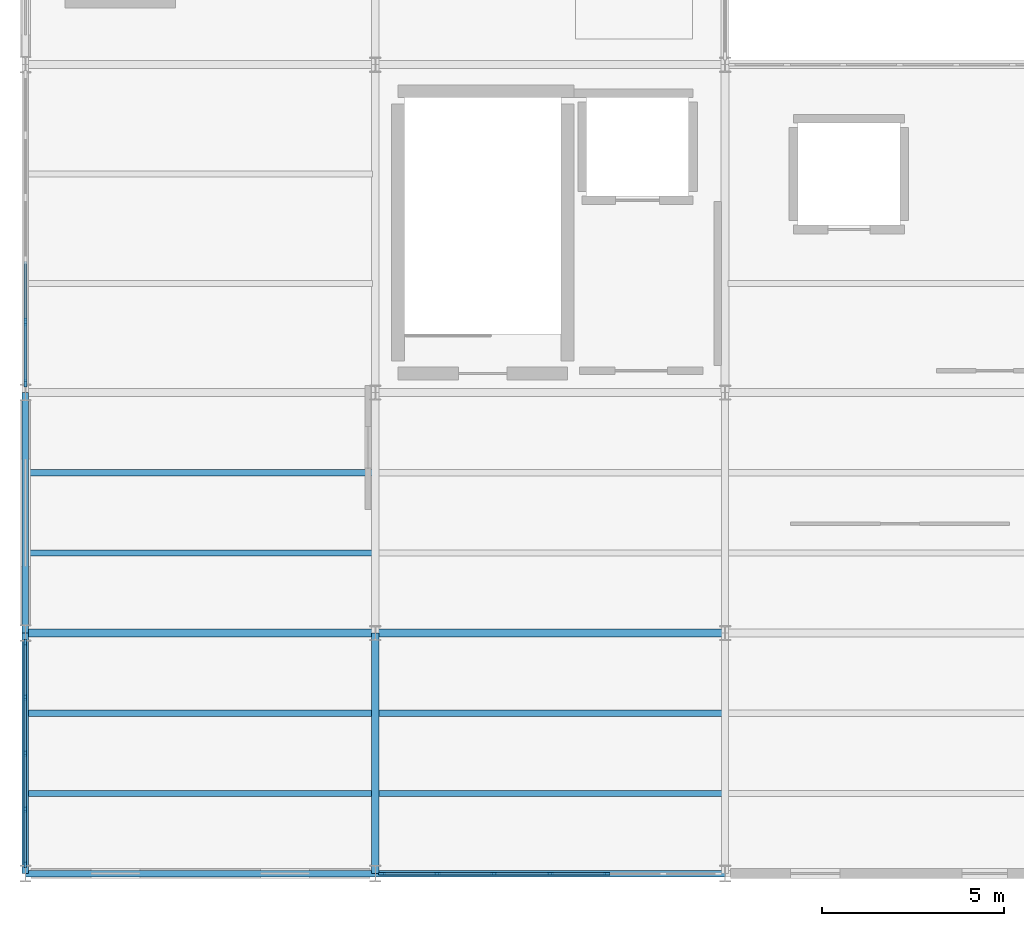
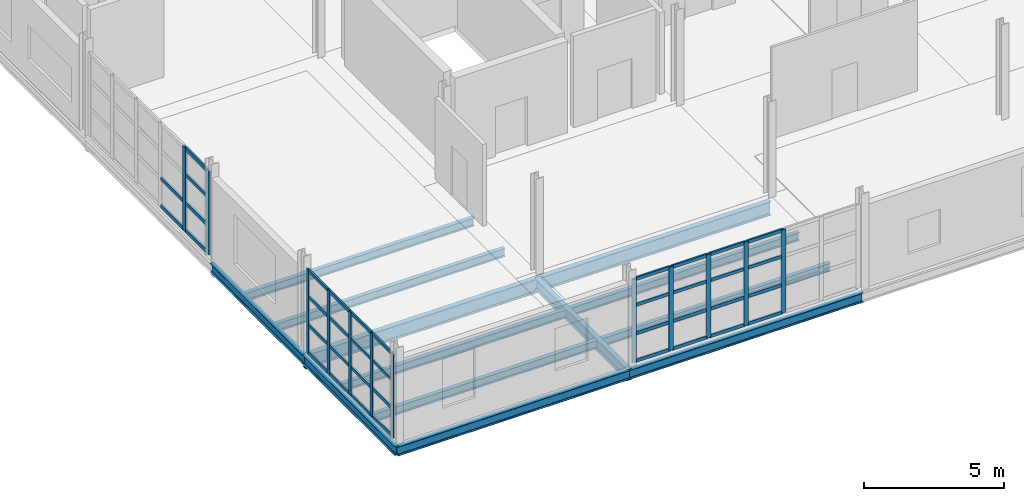
# One storey, part 3 of 15: 50 members, 13 beams, 3 elements without a shape of their own.
"""IFC4 building model written with IfcOpenShell, lengths in metres."""

from ifc_helpers import new_model, si_unit, direction, frame, origin, origin_2d, place, context, subcontext, project, spatial, rectangle, i_section, extrude, material, layer, layer_set, material_profile, profile_set, type_object, element, aggregate, save


model = new_model("IFC4")

# Units and contexts
model_context = context("Model", 3, precision=1e-05, world=origin(), true_north=direction((0.0, 1.0)))
body_context = subcontext(model_context, "Body", "Model", "MODEL_VIEW")
ifc_project = project(units=[si_unit("LENGTHUNIT", "METRE"), si_unit("AREAUNIT", "SQUARE_METRE"), si_unit("VOLUMEUNIT", "CUBIC_METRE"), si_unit("PLANEANGLEUNIT", "RADIAN"), si_unit("MASSUNIT", "GRAM", prefix="KILO")], contexts=[model_context])

# Site, building, storey
site_placement = place(None, origin())
site = spatial("IfcSite", under=ifc_project, at=site_placement, CompositionType="ELEMENT")
building_placement = place(site_placement, origin())
building = spatial("IfcBuilding", under=site, at=building_placement, Name="Zarnetskaya Central Station", CompositionType="ELEMENT")
storey_placement = place(building_placement, frame((0.0, 0.0, 22.800048828125)))
storey = spatial("IfcBuildingStorey", under=building, at=storey_placement, Name="L05", CompositionType="ELEMENT", Elevation=22.800048828125)

# Beams
ifc_material_1 = material(Name="Steel S355", Category="steel")
ifc_material_profile_1 = material_profile(ifc_material_1, i_section(OverallWidth=0.169921875, OverallDepth=0.360107421875, WebThickness=0.008056640625, FlangeThickness=0.0126953125, FilletRadius=0.01806640625, at=origin_2d()), Name="IPE 360")
ifc_profile_set_1 = profile_set([ifc_material_profile_1], Name="Steel S355")
beam_type_1 = type_object("IfcBeamType", Name="BM-SEC-360", PredefinedType="BEAM", material=ifc_profile_set_1)
for number, where, z_axis, x_axis, name in (
    (1, (0.080078125, 2.199951171875, -0.420166015625), (1.0, 0.0, 0.0), (0.0, 1.0, 0.0), "Secondary floor beam SEC-L05-Z2256-AB-12-1"),
    (2, (0.080078125, 4.39990234375, -0.420166015625), (1.0, 0.0, 0.0), (0.0, 1.0, 0.0), "Secondary floor beam SEC-L05-Z2256-AB-12-2"),
    (3, (0.080078125, 8.800048828125, -0.420166015625), (1.0, 0.0, 0.0), (0.0, 1.0, 0.0), "Secondary floor beam SEC-L05-Z2256-AB-23-1"),
    (4, (0.080078125, 11.0, -0.420166015625), (1.0, 0.0, 0.0), (0.0, 1.0, 0.0), "Secondary floor beam SEC-L05-Z2256-AB-23-2"),
):
    element("IfcBeam", number, at=place(storey_placement, frame(where, z_axis=z_axis, x_axis=x_axis)), inside=storey, type_object=beam_type_1, Name=name, PredefinedType="BEAM", context=body_context, shape_type="SweptSolid", body=[
        extrude(i_section(OverallWidth=0.169921875, OverallDepth=0.360107421875, WebThickness=0.008056640625, FlangeThickness=0.0126953125, FilletRadius=0.01806640625, at=origin_2d()), origin(), (0.0, 0.0, 1.0), 9.43994140625),
    ])
for number, where, z_axis, x_axis, name in (
    (5, (9.679931640625, 2.199951171875, -0.420166015625), (1.0, 0.0, 0.0), (0.0, 1.0, 0.0), "Secondary floor beam SEC-L05-Z2256-BC-12-1"),
    (6, (9.679931640625, 4.39990234375, -0.420166015625), (1.0, 0.0, 0.0), (0.0, 1.0, 0.0), "Secondary floor beam SEC-L05-Z2256-BC-12-2"),
):
    element("IfcBeam", number, at=place(storey_placement, frame(where, z_axis=z_axis, x_axis=x_axis)), inside=storey, type_object=beam_type_1, Name=name, PredefinedType="BEAM", context=body_context, shape_type="SweptSolid", body=[
        extrude(i_section(OverallWidth=0.169921875, OverallDepth=0.360107421875, WebThickness=0.008056640625, FlangeThickness=0.0126953125, FilletRadius=0.01806640625, at=origin_2d()), origin(), (0.0, 0.0, 1.0), 9.440185546875),
    ])
ifc_material_profile_2 = material_profile(ifc_material_1, i_section(OverallWidth=0.179931640625, OverallDepth=0.39990234375, WebThickness=0.008544921875, FlangeThickness=0.013427734375, FilletRadius=0.02099609375, at=origin_2d()), Name="IPE 400")
ifc_profile_set_2 = profile_set([ifc_material_profile_2], Name="Steel S355")
beam_type_2 = type_object("IfcBeamType", Name="BM-SPN-V5", PredefinedType="SPANDREL", material=ifc_profile_set_2)
beam_1_placement = place(storey_placement, frame((0.0, 0.0, -0.43994140625), z_axis=(0.0, 1.0, 0.0), x_axis=(-1.0, 0.0, 0.0)))
element("IfcBeam", 7, at=beam_1_placement, inside=storey, type_object=beam_type_2, Name="Grid girder GY-L05-A-12", PredefinedType="SPANDREL", context=body_context, shape_type="SweptSolid", body=[
    extrude(i_section(OverallWidth=0.179931640625, OverallDepth=0.39990234375, WebThickness=0.008544921875, FlangeThickness=0.013427734375, FilletRadius=0.02099609375, at=origin_2d()), origin(), (0.0, 0.0, 1.0), 6.60009765625),
])
beam_2_placement = place(storey_placement, frame((0.0, 0.0, -0.43994140625), z_axis=(1.0, 0.0, 0.0), x_axis=(0.0, 1.0, 0.0)))
element("IfcBeam", 8, at=beam_2_placement, inside=storey, type_object=beam_type_2, Name="Grid girder GX-L05-1-AB", PredefinedType="SPANDREL", context=body_context, shape_type="SweptSolid", body=[
    extrude(i_section(OverallWidth=0.179931640625, OverallDepth=0.39990234375, WebThickness=0.008544921875, FlangeThickness=0.013427734375, FilletRadius=0.02099609375, at=origin_2d()), origin(), (0.0, 0.0, 1.0), 9.60009765625),
])
beam_3_placement = place(storey_placement, frame((0.0, 6.60009765625, -0.43994140625), z_axis=(0.0, 1.0, 0.0), x_axis=(-1.0, 0.0, 0.0)))
element("IfcBeam", 9, at=beam_3_placement, inside=storey, type_object=beam_type_2, Name="Grid girder GY-L05-A-23", PredefinedType="SPANDREL", context=body_context, shape_type="SweptSolid", body=[
    extrude(i_section(OverallWidth=0.179931640625, OverallDepth=0.39990234375, WebThickness=0.008544921875, FlangeThickness=0.013427734375, FilletRadius=0.02099609375, at=origin_2d()), origin(), (0.0, 0.0, 1.0), 6.599853515625),
])
beam_4_placement = place(storey_placement, frame((9.60009765625, 0.0, -0.43994140625), z_axis=(1.0, 0.0, 0.0), x_axis=(0.0, 1.0, 0.0)))
element("IfcBeam", 10, at=beam_4_placement, inside=storey, type_object=beam_type_2, Name="Grid girder GX-L05-1-BC", PredefinedType="SPANDREL", context=body_context, shape_type="SweptSolid", body=[
    extrude(i_section(OverallWidth=0.179931640625, OverallDepth=0.39990234375, WebThickness=0.008544921875, FlangeThickness=0.013427734375, FilletRadius=0.02099609375, at=origin_2d()), origin(), (0.0, 0.0, 1.0), 9.599853515625),
])

# Curtain wall, members
ifc_material_2 = material(Name="Low-E insulated glass", Category="glass")
ifc_layer_1 = layer(ifc_material_2, 0.1640625, Name="Low-E insulated glass", Category="glass")
ifc_layer_set_1 = layer_set([ifc_layer_1], Name="Low-E insulated glass")
curtain_wall_type_1 = type_object("IfcCurtainWallType", Name="CW-SYS-07", PredefinedType="USERDEFINED", material=ifc_layer_set_1)
curtain_wall_1_placement = place(storey_placement, origin())
curtain_wall_1 = element("IfcCurtainWall", 11, at=curtain_wall_1_placement, inside=storey, type_object=curtain_wall_type_1, Name="Curtain wall CW-L05-063", ObjectType="CURTAIN WALL", PredefinedType="USERDEFINED")
ifc_material_3 = material(Name="Anodised aluminium", Category="aluminium")
ifc_material_profile_3 = material_profile(ifc_material_3, rectangle(XDim=0.070068359375, YDim=0.179931640625, at=origin_2d()), Name="ALU MULL 70x180")
ifc_profile_set_3 = profile_set([ifc_material_profile_3], Name="Anodised aluminium")
member_type_1 = type_object("IfcMemberType", Name="CW-MULL-180", PredefinedType="MULLION", material=ifc_profile_set_3)
member_1_placement = place(storey_placement, frame((0.0, 0.260009765625, 0.0), z_axis=(0.0, 0.0, 1.0), x_axis=(-1.0, 0.0, 0.0)))
member_1 = element("IfcMember", 12, at=member_1_placement, type_object=member_type_1, Name="CW-06 mullion 1", PredefinedType="MULLION", context=body_context, shape_type="SweptSolid", body=[
    extrude(rectangle(XDim=0.070068359375, YDim=0.179931640625, at=origin_2d()), origin(), (0.0, 0.0, 1.0), 3.639892578125),
])
member_2_placement = place(storey_placement, frame((0.0, 1.762451171875, 0.0), z_axis=(0.0, 0.0, 1.0), x_axis=(-1.0, 0.0, 0.0)))
member_2 = element("IfcMember", 13, at=member_2_placement, type_object=member_type_1, Name="CW-06 mullion 2", PredefinedType="MULLION", context=body_context, shape_type="SweptSolid", body=[
    extrude(rectangle(XDim=0.070068359375, YDim=0.179931640625, at=origin_2d()), origin(), (0.0, 0.0, 1.0), 3.639892578125),
])
member_3_placement = place(storey_placement, frame((0.0, 3.300048828125, 0.0), z_axis=(0.0, 0.0, 1.0), x_axis=(-1.0, 0.0, 0.0)))
member_3 = element("IfcMember", 14, at=member_3_placement, type_object=member_type_1, Name="CW-06 mullion 3", PredefinedType="MULLION", context=body_context, shape_type="SweptSolid", body=[
    extrude(rectangle(XDim=0.070068359375, YDim=0.179931640625, at=origin_2d()), origin(), (0.0, 0.0, 1.0), 3.639892578125),
])
member_4_placement = place(storey_placement, frame((0.0, 4.83740234375, 0.0), z_axis=(0.0, 0.0, 1.0), x_axis=(-1.0, 0.0, 0.0)))
member_4 = element("IfcMember", 15, at=member_4_placement, type_object=member_type_1, Name="CW-06 mullion 4", PredefinedType="MULLION", context=body_context, shape_type="SweptSolid", body=[
    extrude(rectangle(XDim=0.070068359375, YDim=0.179931640625, at=origin_2d()), origin(), (0.0, 0.0, 1.0), 3.639892578125),
])
member_5_placement = place(storey_placement, frame((0.0, 6.340087890625, 0.0), z_axis=(0.0, 0.0, 1.0), x_axis=(-1.0, 0.0, 0.0)))
member_5 = element("IfcMember", 16, at=member_5_placement, type_object=member_type_1, Name="CW-06 mullion 5", PredefinedType="MULLION", context=body_context, shape_type="SweptSolid", body=[
    extrude(rectangle(XDim=0.070068359375, YDim=0.179931640625, at=origin_2d()), origin(), (0.0, 0.0, 1.0), 3.639892578125),
])

ifc_layer_2 = layer(ifc_material_2, 0.172119140625, Name="Low-E insulated glass", Category="glass")
ifc_layer_set_2 = layer_set([ifc_layer_2], Name="Low-E insulated glass")
curtain_wall_type_2 = type_object("IfcCurtainWallType", Name="CW-SYS-09", PredefinedType="USERDEFINED", material=ifc_layer_set_2)
curtain_wall_2_placement = place(storey_placement, origin())
curtain_wall_2 = element("IfcCurtainWall", 17, at=curtain_wall_2_placement, inside=storey, type_object=curtain_wall_type_2, Name="Curtain wall CW-L05-073", ObjectType="CURTAIN WALL", PredefinedType="USERDEFINED")
member_6_placement = place(storey_placement, frame((15.949951171875, 0.0, 0.0), z_axis=(0.0, 0.0, 1.0), x_axis=(0.0, -1.0, 0.0)))
member_6 = element("IfcMember", 18, at=member_6_placement, type_object=member_type_1, Name="CW-07 mullion 3", PredefinedType="MULLION", context=body_context, shape_type="SweptSolid", body=[
    extrude(rectangle(XDim=0.070068359375, YDim=0.179931640625, at=origin_2d()), origin(), (0.0, 0.0, 1.0), 3.639892578125),
])
member_7_placement = place(storey_placement, frame((14.39990234375, 0.0, 0.0), z_axis=(0.0, 0.0, 1.0), x_axis=(0.0, -1.0, 0.0)))
member_7 = element("IfcMember", 19, at=member_7_placement, type_object=member_type_1, Name="CW-07 mullion 4", PredefinedType="MULLION", context=body_context, shape_type="SweptSolid", body=[
    extrude(rectangle(XDim=0.070068359375, YDim=0.179931640625, at=origin_2d()), origin(), (0.0, 0.0, 1.0), 3.639892578125),
])
member_8_placement = place(storey_placement, frame((12.85009765625, 0.0, 0.0), z_axis=(0.0, 0.0, 1.0), x_axis=(0.0, -1.0, 0.0)))
member_8 = element("IfcMember", 20, at=member_8_placement, type_object=member_type_1, Name="CW-07 mullion 5", PredefinedType="MULLION", context=body_context, shape_type="SweptSolid", body=[
    extrude(rectangle(XDim=0.070068359375, YDim=0.179931640625, at=origin_2d()), origin(), (0.0, 0.0, 1.0), 3.639892578125),
])
member_9_placement = place(storey_placement, frame((11.300048828125, 0.0, 0.0), z_axis=(0.0, 0.0, 1.0), x_axis=(0.0, -1.0, 0.0)))
member_9 = element("IfcMember", 21, at=member_9_placement, type_object=member_type_1, Name="CW-07 mullion 6", PredefinedType="MULLION", context=body_context, shape_type="SweptSolid", body=[
    extrude(rectangle(XDim=0.070068359375, YDim=0.179931640625, at=origin_2d()), origin(), (0.0, 0.0, 1.0), 3.639892578125),
])
member_10_placement = place(storey_placement, frame((9.784912109375, 0.0, 0.0), z_axis=(0.0, 0.0, 1.0), x_axis=(0.0, -1.0, 0.0)))
member_10 = element("IfcMember", 22, at=member_10_placement, type_object=member_type_1, Name="CW-07 mullion 7", PredefinedType="MULLION", context=body_context, shape_type="SweptSolid", body=[
    extrude(rectangle(XDim=0.070068359375, YDim=0.179931640625, at=origin_2d()), origin(), (0.0, 0.0, 1.0), 3.639892578125),
])

curtain_wall_3_placement = place(storey_placement, origin())
curtain_wall_3 = element("IfcCurtainWall", 23, at=curtain_wall_3_placement, inside=storey, type_object=curtain_wall_type_2, Name="Curtain wall CW-L05-064", ObjectType="CURTAIN WALL", PredefinedType="USERDEFINED")
ifc_material_profile_4 = material_profile(ifc_material_3, rectangle(XDim=0.080078125, YDim=0.219970703125, at=origin_2d()), Name="ALU MULL 80x220")
ifc_profile_set_4 = profile_set([ifc_material_profile_4], Name="Anodised aluminium")
member_type_2 = type_object("IfcMemberType", Name="CW-MULL-220", PredefinedType="MULLION", material=ifc_profile_set_4)
member_11_placement = place(storey_placement, frame((0.0, 13.465087890625, 0.0), z_axis=(0.0, 0.0, 1.0), x_axis=(-1.0, 0.0, 0.0)))
member_11 = element("IfcMember", 24, at=member_11_placement, type_object=member_type_2, Name="CW-07 mullion 1", PredefinedType="MULLION", context=body_context, shape_type="SweptSolid", body=[
    extrude(rectangle(XDim=0.080078125, YDim=0.219970703125, at=origin_2d()), origin(), (0.0, 0.0, 1.0), 3.639892578125),
])
member_12_placement = place(storey_placement, frame((0.0, 15.135009765625, 0.0), z_axis=(0.0, 0.0, 1.0), x_axis=(-1.0, 0.0, 0.0)))
member_12 = element("IfcMember", 25, at=member_12_placement, type_object=member_type_2, Name="CW-07 mullion 2", PredefinedType="MULLION", context=body_context, shape_type="SweptSolid", body=[
    extrude(rectangle(XDim=0.080078125, YDim=0.219970703125, at=origin_2d()), origin(), (0.0, 0.0, 1.0), 3.639892578125),
])

# Member
ifc_material_profile_5 = material_profile(ifc_material_3, rectangle(XDim=0.070068359375, YDim=0.139892578125, at=origin_2d()), Name="ALU TRAN 70x140")
ifc_profile_set_5 = profile_set([ifc_material_profile_5], Name="Anodised aluminium")
member_type_3 = type_object("IfcMemberType", Name="CW-TRAN-140", PredefinedType="USERDEFINED", material=ifc_profile_set_5)
member_13_placement = place(storey_placement, frame((0.0, 0.294921875, 0.034912109375), z_axis=(0.0, 1.0, 0.0), x_axis=(-1.0, 0.0, 0.0)))
member_13 = element("IfcMember", 26, at=member_13_placement, type_object=member_type_3, Name="CW-06 transom 1.1", ObjectType="TRANSOM", PredefinedType="USERDEFINED", context=body_context, shape_type="SweptSolid", body=[
    extrude(rectangle(XDim=0.070068359375, YDim=0.139892578125, at=origin_2d()), origin(), (0.0, 0.0, 1.0), 1.4326171875),
])

member_14_placement = place(storey_placement, frame((0.0, 0.294921875, 1.238037109375), z_axis=(0.0, 1.0, 0.0), x_axis=(-1.0, 0.0, 0.0)))
member_14 = element("IfcMember", 27, at=member_14_placement, type_object=member_type_3, Name="CW-06 transom 1.2", ObjectType="TRANSOM", PredefinedType="USERDEFINED", context=body_context, shape_type="SweptSolid", body=[
    extrude(rectangle(XDim=0.070068359375, YDim=0.139892578125, at=origin_2d()), origin(), (0.0, 0.0, 1.0), 1.4326171875),
])

member_15_placement = place(storey_placement, frame((0.0, 0.294921875, 2.474853515625), z_axis=(0.0, 1.0, 0.0), x_axis=(-1.0, 0.0, 0.0)))
member_15 = element("IfcMember", 28, at=member_15_placement, type_object=member_type_3, Name="CW-06 transom 1.3", ObjectType="TRANSOM", PredefinedType="USERDEFINED", context=body_context, shape_type="SweptSolid", body=[
    extrude(rectangle(XDim=0.070068359375, YDim=0.139892578125, at=origin_2d()), origin(), (0.0, 0.0, 1.0), 1.4326171875),
])

member_16_placement = place(storey_placement, frame((0.0, 0.294921875, 3.60498046875), z_axis=(0.0, 1.0, 0.0), x_axis=(-1.0, 0.0, 0.0)))
member_16 = element("IfcMember", 29, at=member_16_placement, type_object=member_type_3, Name="CW-06 transom 1.4", ObjectType="TRANSOM", PredefinedType="USERDEFINED", context=body_context, shape_type="SweptSolid", body=[
    extrude(rectangle(XDim=0.070068359375, YDim=0.139892578125, at=origin_2d()), origin(), (0.0, 0.0, 1.0), 1.4326171875),
])

member_17_placement = place(storey_placement, frame((0.0, 1.797607421875, 0.034912109375), z_axis=(0.0, 1.0, 0.0), x_axis=(-1.0, 0.0, 0.0)))
member_17 = element("IfcMember", 30, at=member_17_placement, type_object=member_type_3, Name="CW-06 transom 2.1", ObjectType="TRANSOM", PredefinedType="USERDEFINED", context=body_context, shape_type="SweptSolid", body=[
    extrude(rectangle(XDim=0.070068359375, YDim=0.139892578125, at=origin_2d()), origin(), (0.0, 0.0, 1.0), 1.46728515625),
])

member_18_placement = place(storey_placement, frame((0.0, 1.797607421875, 1.238037109375), z_axis=(0.0, 1.0, 0.0), x_axis=(-1.0, 0.0, 0.0)))
member_18 = element("IfcMember", 31, at=member_18_placement, type_object=member_type_3, Name="CW-06 transom 2.2", ObjectType="TRANSOM", PredefinedType="USERDEFINED", context=body_context, shape_type="SweptSolid", body=[
    extrude(rectangle(XDim=0.070068359375, YDim=0.139892578125, at=origin_2d()), origin(), (0.0, 0.0, 1.0), 1.46728515625),
])

member_19_placement = place(storey_placement, frame((0.0, 1.797607421875, 2.474853515625), z_axis=(0.0, 1.0, 0.0), x_axis=(-1.0, 0.0, 0.0)))
member_19 = element("IfcMember", 32, at=member_19_placement, type_object=member_type_3, Name="CW-06 transom 2.3", ObjectType="TRANSOM", PredefinedType="USERDEFINED", context=body_context, shape_type="SweptSolid", body=[
    extrude(rectangle(XDim=0.070068359375, YDim=0.139892578125, at=origin_2d()), origin(), (0.0, 0.0, 1.0), 1.46728515625),
])

member_20_placement = place(storey_placement, frame((0.0, 1.797607421875, 3.60498046875), z_axis=(0.0, 1.0, 0.0), x_axis=(-1.0, 0.0, 0.0)))
member_20 = element("IfcMember", 33, at=member_20_placement, type_object=member_type_3, Name="CW-06 transom 2.4", ObjectType="TRANSOM", PredefinedType="USERDEFINED", context=body_context, shape_type="SweptSolid", body=[
    extrude(rectangle(XDim=0.070068359375, YDim=0.139892578125, at=origin_2d()), origin(), (0.0, 0.0, 1.0), 1.46728515625),
])

member_21_placement = place(storey_placement, frame((0.0, 3.3349609375, 0.034912109375), z_axis=(0.0, 1.0, 0.0), x_axis=(-1.0, 0.0, 0.0)))
member_21 = element("IfcMember", 34, at=member_21_placement, type_object=member_type_3, Name="CW-06 transom 3.1", ObjectType="TRANSOM", PredefinedType="USERDEFINED", context=body_context, shape_type="SweptSolid", body=[
    extrude(rectangle(XDim=0.070068359375, YDim=0.139892578125, at=origin_2d()), origin(), (0.0, 0.0, 1.0), 1.467529296875),
])

member_22_placement = place(storey_placement, frame((0.0, 3.3349609375, 1.238037109375), z_axis=(0.0, 1.0, 0.0), x_axis=(-1.0, 0.0, 0.0)))
member_22 = element("IfcMember", 35, at=member_22_placement, type_object=member_type_3, Name="CW-06 transom 3.2", ObjectType="TRANSOM", PredefinedType="USERDEFINED", context=body_context, shape_type="SweptSolid", body=[
    extrude(rectangle(XDim=0.070068359375, YDim=0.139892578125, at=origin_2d()), origin(), (0.0, 0.0, 1.0), 1.467529296875),
])

member_23_placement = place(storey_placement, frame((0.0, 3.3349609375, 2.474853515625), z_axis=(0.0, 1.0, 0.0), x_axis=(-1.0, 0.0, 0.0)))
member_23 = element("IfcMember", 36, at=member_23_placement, type_object=member_type_3, Name="CW-06 transom 3.3", ObjectType="TRANSOM", PredefinedType="USERDEFINED", context=body_context, shape_type="SweptSolid", body=[
    extrude(rectangle(XDim=0.070068359375, YDim=0.139892578125, at=origin_2d()), origin(), (0.0, 0.0, 1.0), 1.467529296875),
])

member_24_placement = place(storey_placement, frame((0.0, 3.3349609375, 3.60498046875), z_axis=(0.0, 1.0, 0.0), x_axis=(-1.0, 0.0, 0.0)))
member_24 = element("IfcMember", 37, at=member_24_placement, type_object=member_type_3, Name="CW-06 transom 3.4", ObjectType="TRANSOM", PredefinedType="USERDEFINED", context=body_context, shape_type="SweptSolid", body=[
    extrude(rectangle(XDim=0.070068359375, YDim=0.139892578125, at=origin_2d()), origin(), (0.0, 0.0, 1.0), 1.467529296875),
])

member_25_placement = place(storey_placement, frame((0.0, 4.87255859375, 0.034912109375), z_axis=(0.0, 1.0, 0.0), x_axis=(-1.0, 0.0, 0.0)))
member_25 = element("IfcMember", 38, at=member_25_placement, type_object=member_type_3, Name="CW-06 transom 4.1", ObjectType="TRANSOM", PredefinedType="USERDEFINED", context=body_context, shape_type="SweptSolid", body=[
    extrude(rectangle(XDim=0.070068359375, YDim=0.139892578125, at=origin_2d()), origin(), (0.0, 0.0, 1.0), 1.432373046875),
])

member_26_placement = place(storey_placement, frame((0.0, 4.87255859375, 1.238037109375), z_axis=(0.0, 1.0, 0.0), x_axis=(-1.0, 0.0, 0.0)))
member_26 = element("IfcMember", 39, at=member_26_placement, type_object=member_type_3, Name="CW-06 transom 4.2", ObjectType="TRANSOM", PredefinedType="USERDEFINED", context=body_context, shape_type="SweptSolid", body=[
    extrude(rectangle(XDim=0.070068359375, YDim=0.139892578125, at=origin_2d()), origin(), (0.0, 0.0, 1.0), 1.432373046875),
])

member_27_placement = place(storey_placement, frame((0.0, 4.87255859375, 2.474853515625), z_axis=(0.0, 1.0, 0.0), x_axis=(-1.0, 0.0, 0.0)))
member_27 = element("IfcMember", 40, at=member_27_placement, type_object=member_type_3, Name="CW-06 transom 4.3", ObjectType="TRANSOM", PredefinedType="USERDEFINED", context=body_context, shape_type="SweptSolid", body=[
    extrude(rectangle(XDim=0.070068359375, YDim=0.139892578125, at=origin_2d()), origin(), (0.0, 0.0, 1.0), 1.432373046875),
])

member_28_placement = place(storey_placement, frame((0.0, 4.87255859375, 3.60498046875), z_axis=(0.0, 1.0, 0.0), x_axis=(-1.0, 0.0, 0.0)))
member_28 = element("IfcMember", 41, at=member_28_placement, type_object=member_type_3, Name="CW-06 transom 4.4", ObjectType="TRANSOM", PredefinedType="USERDEFINED", context=body_context, shape_type="SweptSolid", body=[
    extrude(rectangle(XDim=0.070068359375, YDim=0.139892578125, at=origin_2d()), origin(), (0.0, 0.0, 1.0), 1.432373046875),
])

aggregate(curtain_wall_1, [member_1, member_2, member_3, member_4, member_5, member_13, member_14, member_15, member_16, member_17, member_18, member_19, member_20, member_21, member_22, member_23, member_24, member_25, member_26, member_27, member_28])

member_29_placement = place(storey_placement, frame((15.9150390625, 0.0, 0.034912109375), z_axis=(-1.0, 0.0, 0.0), x_axis=(0.0, -1.0, 0.0)))
member_29 = element("IfcMember", 42, at=member_29_placement, type_object=member_type_3, Name="CW-07 transom 3.1", ObjectType="TRANSOM", PredefinedType="USERDEFINED", context=body_context, shape_type="SweptSolid", body=[
    extrude(rectangle(XDim=0.070068359375, YDim=0.139892578125, at=origin_2d()), origin(), (0.0, 0.0, 1.0), 1.47998046875),
])

member_30_placement = place(storey_placement, frame((15.9150390625, 0.0, 1.238037109375), z_axis=(-1.0, 0.0, 0.0), x_axis=(0.0, -1.0, 0.0)))
member_30 = element("IfcMember", 43, at=member_30_placement, type_object=member_type_3, Name="CW-07 transom 3.2", ObjectType="TRANSOM", PredefinedType="USERDEFINED", context=body_context, shape_type="SweptSolid", body=[
    extrude(rectangle(XDim=0.070068359375, YDim=0.139892578125, at=origin_2d()), origin(), (0.0, 0.0, 1.0), 1.47998046875),
])

member_31_placement = place(storey_placement, frame((15.9150390625, 0.0, 2.474853515625), z_axis=(-1.0, 0.0, 0.0), x_axis=(0.0, -1.0, 0.0)))
member_31 = element("IfcMember", 44, at=member_31_placement, type_object=member_type_3, Name="CW-07 transom 3.3", ObjectType="TRANSOM", PredefinedType="USERDEFINED", context=body_context, shape_type="SweptSolid", body=[
    extrude(rectangle(XDim=0.070068359375, YDim=0.139892578125, at=origin_2d()), origin(), (0.0, 0.0, 1.0), 1.47998046875),
])

member_32_placement = place(storey_placement, frame((15.9150390625, 0.0, 3.60498046875), z_axis=(-1.0, 0.0, 0.0), x_axis=(0.0, -1.0, 0.0)))
member_32 = element("IfcMember", 45, at=member_32_placement, type_object=member_type_3, Name="CW-07 transom 3.4", ObjectType="TRANSOM", PredefinedType="USERDEFINED", context=body_context, shape_type="SweptSolid", body=[
    extrude(rectangle(XDim=0.070068359375, YDim=0.139892578125, at=origin_2d()), origin(), (0.0, 0.0, 1.0), 1.47998046875),
])

member_33_placement = place(storey_placement, frame((14.364990234375, 0.0, 0.034912109375), z_axis=(-1.0, 0.0, 0.0), x_axis=(0.0, -1.0, 0.0)))
member_33 = element("IfcMember", 46, at=member_33_placement, type_object=member_type_3, Name="CW-07 transom 4.1", ObjectType="TRANSOM", PredefinedType="USERDEFINED", context=body_context, shape_type="SweptSolid", body=[
    extrude(rectangle(XDim=0.070068359375, YDim=0.139892578125, at=origin_2d()), origin(), (0.0, 0.0, 1.0), 1.47998046875),
])

member_34_placement = place(storey_placement, frame((14.364990234375, 0.0, 1.238037109375), z_axis=(-1.0, 0.0, 0.0), x_axis=(0.0, -1.0, 0.0)))
member_34 = element("IfcMember", 47, at=member_34_placement, type_object=member_type_3, Name="CW-07 transom 4.2", ObjectType="TRANSOM", PredefinedType="USERDEFINED", context=body_context, shape_type="SweptSolid", body=[
    extrude(rectangle(XDim=0.070068359375, YDim=0.139892578125, at=origin_2d()), origin(), (0.0, 0.0, 1.0), 1.47998046875),
])

member_35_placement = place(storey_placement, frame((14.364990234375, 0.0, 2.474853515625), z_axis=(-1.0, 0.0, 0.0), x_axis=(0.0, -1.0, 0.0)))
member_35 = element("IfcMember", 48, at=member_35_placement, type_object=member_type_3, Name="CW-07 transom 4.3", ObjectType="TRANSOM", PredefinedType="USERDEFINED", context=body_context, shape_type="SweptSolid", body=[
    extrude(rectangle(XDim=0.070068359375, YDim=0.139892578125, at=origin_2d()), origin(), (0.0, 0.0, 1.0), 1.47998046875),
])

member_36_placement = place(storey_placement, frame((14.364990234375, 0.0, 3.60498046875), z_axis=(-1.0, 0.0, 0.0), x_axis=(0.0, -1.0, 0.0)))
member_36 = element("IfcMember", 49, at=member_36_placement, type_object=member_type_3, Name="CW-07 transom 4.4", ObjectType="TRANSOM", PredefinedType="USERDEFINED", context=body_context, shape_type="SweptSolid", body=[
    extrude(rectangle(XDim=0.070068359375, YDim=0.139892578125, at=origin_2d()), origin(), (0.0, 0.0, 1.0), 1.47998046875),
])

member_37_placement = place(storey_placement, frame((12.81494140625, 0.0, 0.034912109375), z_axis=(-1.0, 0.0, 0.0), x_axis=(0.0, -1.0, 0.0)))
member_37 = element("IfcMember", 50, at=member_37_placement, type_object=member_type_3, Name="CW-07 transom 5.1", ObjectType="TRANSOM", PredefinedType="USERDEFINED", context=body_context, shape_type="SweptSolid", body=[
    extrude(rectangle(XDim=0.070068359375, YDim=0.139892578125, at=origin_2d()), origin(), (0.0, 0.0, 1.0), 1.47998046875),
])

member_38_placement = place(storey_placement, frame((12.81494140625, 0.0, 1.238037109375), z_axis=(-1.0, 0.0, 0.0), x_axis=(0.0, -1.0, 0.0)))
member_38 = element("IfcMember", 51, at=member_38_placement, type_object=member_type_3, Name="CW-07 transom 5.2", ObjectType="TRANSOM", PredefinedType="USERDEFINED", context=body_context, shape_type="SweptSolid", body=[
    extrude(rectangle(XDim=0.070068359375, YDim=0.139892578125, at=origin_2d()), origin(), (0.0, 0.0, 1.0), 1.47998046875),
])

member_39_placement = place(storey_placement, frame((12.81494140625, 0.0, 2.474853515625), z_axis=(-1.0, 0.0, 0.0), x_axis=(0.0, -1.0, 0.0)))
member_39 = element("IfcMember", 52, at=member_39_placement, type_object=member_type_3, Name="CW-07 transom 5.3", ObjectType="TRANSOM", PredefinedType="USERDEFINED", context=body_context, shape_type="SweptSolid", body=[
    extrude(rectangle(XDim=0.070068359375, YDim=0.139892578125, at=origin_2d()), origin(), (0.0, 0.0, 1.0), 1.47998046875),
])

member_40_placement = place(storey_placement, frame((12.81494140625, 0.0, 3.60498046875), z_axis=(-1.0, 0.0, 0.0), x_axis=(0.0, -1.0, 0.0)))
member_40 = element("IfcMember", 53, at=member_40_placement, type_object=member_type_3, Name="CW-07 transom 5.4", ObjectType="TRANSOM", PredefinedType="USERDEFINED", context=body_context, shape_type="SweptSolid", body=[
    extrude(rectangle(XDim=0.070068359375, YDim=0.139892578125, at=origin_2d()), origin(), (0.0, 0.0, 1.0), 1.47998046875),
])

member_41_placement = place(storey_placement, frame((11.264892578125, 0.0, 0.034912109375), z_axis=(-1.0, 0.0, 0.0), x_axis=(0.0, -1.0, 0.0)))
member_41 = element("IfcMember", 54, at=member_41_placement, type_object=member_type_3, Name="CW-07 transom 6.1", ObjectType="TRANSOM", PredefinedType="USERDEFINED", context=body_context, shape_type="SweptSolid", body=[
    extrude(rectangle(XDim=0.070068359375, YDim=0.139892578125, at=origin_2d()), origin(), (0.0, 0.0, 1.0), 1.44482421875),
])

member_42_placement = place(storey_placement, frame((11.264892578125, 0.0, 1.238037109375), z_axis=(-1.0, 0.0, 0.0), x_axis=(0.0, -1.0, 0.0)))
member_42 = element("IfcMember", 55, at=member_42_placement, type_object=member_type_3, Name="CW-07 transom 6.2", ObjectType="TRANSOM", PredefinedType="USERDEFINED", context=body_context, shape_type="SweptSolid", body=[
    extrude(rectangle(XDim=0.070068359375, YDim=0.139892578125, at=origin_2d()), origin(), (0.0, 0.0, 1.0), 1.44482421875),
])

member_43_placement = place(storey_placement, frame((11.264892578125, 0.0, 2.474853515625), z_axis=(-1.0, 0.0, 0.0), x_axis=(0.0, -1.0, 0.0)))
member_43 = element("IfcMember", 56, at=member_43_placement, type_object=member_type_3, Name="CW-07 transom 6.3", ObjectType="TRANSOM", PredefinedType="USERDEFINED", context=body_context, shape_type="SweptSolid", body=[
    extrude(rectangle(XDim=0.070068359375, YDim=0.139892578125, at=origin_2d()), origin(), (0.0, 0.0, 1.0), 1.44482421875),
])

member_44_placement = place(storey_placement, frame((11.264892578125, 0.0, 3.60498046875), z_axis=(-1.0, 0.0, 0.0), x_axis=(0.0, -1.0, 0.0)))
member_44 = element("IfcMember", 57, at=member_44_placement, type_object=member_type_3, Name="CW-07 transom 6.4", ObjectType="TRANSOM", PredefinedType="USERDEFINED", context=body_context, shape_type="SweptSolid", body=[
    extrude(rectangle(XDim=0.070068359375, YDim=0.139892578125, at=origin_2d()), origin(), (0.0, 0.0, 1.0), 1.44482421875),
])

aggregate(curtain_wall_2, [member_6, member_7, member_8, member_9, member_10, member_29, member_30, member_31, member_32, member_33, member_34, member_35, member_36, member_37, member_38, member_39, member_40, member_41, member_42, member_43, member_44])

ifc_material_profile_6 = material_profile(ifc_material_3, rectangle(XDim=0.080078125, YDim=0.159912109375, at=origin_2d()), Name="ALU TRAN 80x160")
ifc_profile_set_6 = profile_set([ifc_material_profile_6], Name="Anodised aluminium")
member_type_4 = type_object("IfcMemberType", Name="CW-TRAN-160", PredefinedType="USERDEFINED", material=ifc_profile_set_6)
member_45_placement = place(storey_placement, frame((0.0, 13.5048828125, 0.0400390625), z_axis=(0.0, 1.0, 0.0), x_axis=(-1.0, 0.0, 0.0)))
member_45 = element("IfcMember", 58, at=member_45_placement, type_object=member_type_4, Name="CW-07 transom 1.1", ObjectType="TRANSOM", PredefinedType="USERDEFINED", context=body_context, shape_type="SweptSolid", body=[
    extrude(rectangle(XDim=0.080078125, YDim=0.159912109375, at=origin_2d()), origin(), (0.0, 0.0, 1.0), 1.590087890625),
])

member_46_placement = place(storey_placement, frame((0.0, 13.5048828125, 1.238037109375), z_axis=(0.0, 1.0, 0.0), x_axis=(-1.0, 0.0, 0.0)))
member_46 = element("IfcMember", 59, at=member_46_placement, type_object=member_type_4, Name="CW-07 transom 1.2", ObjectType="TRANSOM", PredefinedType="USERDEFINED", context=body_context, shape_type="SweptSolid", body=[
    extrude(rectangle(XDim=0.080078125, YDim=0.159912109375, at=origin_2d()), origin(), (0.0, 0.0, 1.0), 1.590087890625),
])

member_47_placement = place(storey_placement, frame((0.0, 13.5048828125, 2.474853515625), z_axis=(0.0, 1.0, 0.0), x_axis=(-1.0, 0.0, 0.0)))
member_47 = element("IfcMember", 60, at=member_47_placement, type_object=member_type_4, Name="CW-07 transom 1.3", ObjectType="TRANSOM", PredefinedType="USERDEFINED", context=body_context, shape_type="SweptSolid", body=[
    extrude(rectangle(XDim=0.080078125, YDim=0.159912109375, at=origin_2d()), origin(), (0.0, 0.0, 1.0), 1.590087890625),
])

member_48_placement = place(storey_placement, frame((0.0, 13.5048828125, 3.599853515625), z_axis=(0.0, 1.0, 0.0), x_axis=(-1.0, 0.0, 0.0)))
member_48 = element("IfcMember", 61, at=member_48_placement, type_object=member_type_4, Name="CW-07 transom 1.4", ObjectType="TRANSOM", PredefinedType="USERDEFINED", context=body_context, shape_type="SweptSolid", body=[
    extrude(rectangle(XDim=0.080078125, YDim=0.159912109375, at=origin_2d()), origin(), (0.0, 0.0, 1.0), 1.590087890625),
])

member_49_placement = place(storey_placement, frame((0.0, 15.175048828125, 0.0400390625), z_axis=(0.0, 1.0, 0.0), x_axis=(-1.0, 0.0, 0.0)))
member_49 = element("IfcMember", 62, at=member_49_placement, type_object=member_type_4, Name="CW-07 transom 2.1", ObjectType="TRANSOM", PredefinedType="USERDEFINED", context=body_context, shape_type="SweptSolid", body=[
    extrude(rectangle(XDim=0.080078125, YDim=0.159912109375, at=origin_2d()), origin(), (0.0, 0.0, 1.0), 1.6298828125),
])

member_50_placement = place(storey_placement, frame((0.0, 15.175048828125, 1.238037109375), z_axis=(0.0, 1.0, 0.0), x_axis=(-1.0, 0.0, 0.0)))
member_50 = element("IfcMember", 63, at=member_50_placement, type_object=member_type_4, Name="CW-07 transom 2.2", ObjectType="TRANSOM", PredefinedType="USERDEFINED", context=body_context, shape_type="SweptSolid", body=[
    extrude(rectangle(XDim=0.080078125, YDim=0.159912109375, at=origin_2d()), origin(), (0.0, 0.0, 1.0), 1.6298828125),
])

aggregate(curtain_wall_3, [member_11, member_12, member_45, member_46, member_47, member_48, member_49, member_50])

# Beams
ifc_material_profile_7 = material_profile(ifc_material_1, i_section(OverallWidth=0.199951171875, OverallDepth=0.5, WebThickness=0.01025390625, FlangeThickness=0.01611328125, FilletRadius=0.02099609375, at=origin_2d()), Name="IPE 500")
ifc_profile_set_7 = profile_set([ifc_material_profile_7], Name="Steel S355")
beam_type_3 = type_object("IfcBeamType", Name="GD-FLR-500", PredefinedType="USERDEFINED", material=ifc_profile_set_7)
beam_5_placement = place(storey_placement, frame((9.60009765625, 0.0, -0.489990234375), z_axis=(0.0, 1.0, 0.0), x_axis=(-1.0, 0.0, 0.0)))
element("IfcBeam", 64, at=beam_5_placement, inside=storey, type_object=beam_type_3, Name="Grid girder GY-L05-B-12", ObjectType="GIRDER", PredefinedType="USERDEFINED", context=body_context, shape_type="SweptSolid", body=[
    extrude(i_section(OverallWidth=0.199951171875, OverallDepth=0.5, WebThickness=0.01025390625, FlangeThickness=0.01611328125, FilletRadius=0.02099609375, at=origin_2d()), origin(), (0.0, 0.0, 1.0), 6.60009765625),
])
ifc_material_profile_8 = material_profile(ifc_material_1, i_section(OverallWidth=0.219970703125, OverallDepth=0.60009765625, WebThickness=0.011962890625, FlangeThickness=0.01904296875, FilletRadius=0.02392578125, at=origin_2d()), Name="IPE 600")
ifc_profile_set_8 = profile_set([ifc_material_profile_8], Name="Steel S355")
beam_type_4 = type_object("IfcBeamType", Name="GD-FLR-600", PredefinedType="USERDEFINED", material=ifc_profile_set_8)
beam_6_placement = place(storey_placement, frame((0.0, 6.60009765625, -0.5400390625), z_axis=(1.0, 0.0, 0.0), x_axis=(0.0, 1.0, 0.0)))
element("IfcBeam", 65, at=beam_6_placement, inside=storey, type_object=beam_type_4, Name="Grid girder GX-L05-2-AB", ObjectType="GIRDER", PredefinedType="USERDEFINED", context=body_context, shape_type="SweptSolid", body=[
    extrude(i_section(OverallWidth=0.219970703125, OverallDepth=0.60009765625, WebThickness=0.011962890625, FlangeThickness=0.01904296875, FilletRadius=0.02392578125, at=origin_2d()), origin(), (0.0, 0.0, 1.0), 9.60009765625),
])
beam_7_placement = place(storey_placement, frame((9.60009765625, 6.60009765625, -0.5400390625), z_axis=(1.0, 0.0, 0.0), x_axis=(0.0, 1.0, 0.0)))
element("IfcBeam", 66, at=beam_7_placement, inside=storey, type_object=beam_type_4, Name="Grid girder GX-L05-2-BC", ObjectType="GIRDER", PredefinedType="USERDEFINED", context=body_context, shape_type="SweptSolid", body=[
    extrude(i_section(OverallWidth=0.219970703125, OverallDepth=0.60009765625, WebThickness=0.011962890625, FlangeThickness=0.01904296875, FilletRadius=0.02392578125, at=origin_2d()), origin(), (0.0, 0.0, 1.0), 9.599853515625),
])

save(model, "model.ifc")
